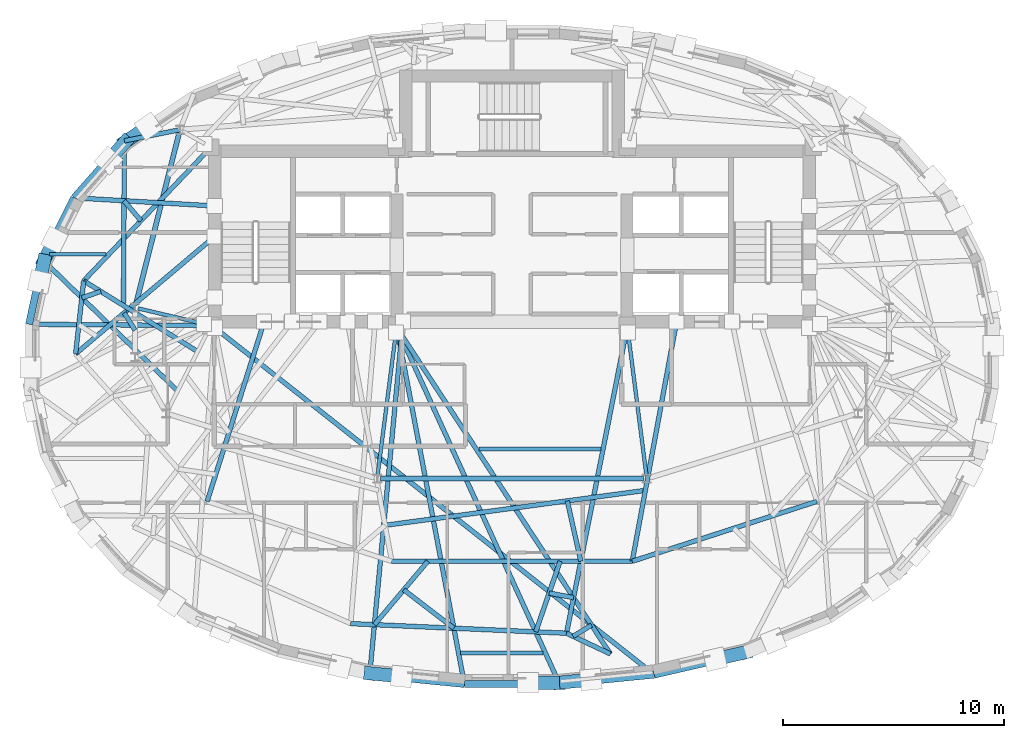
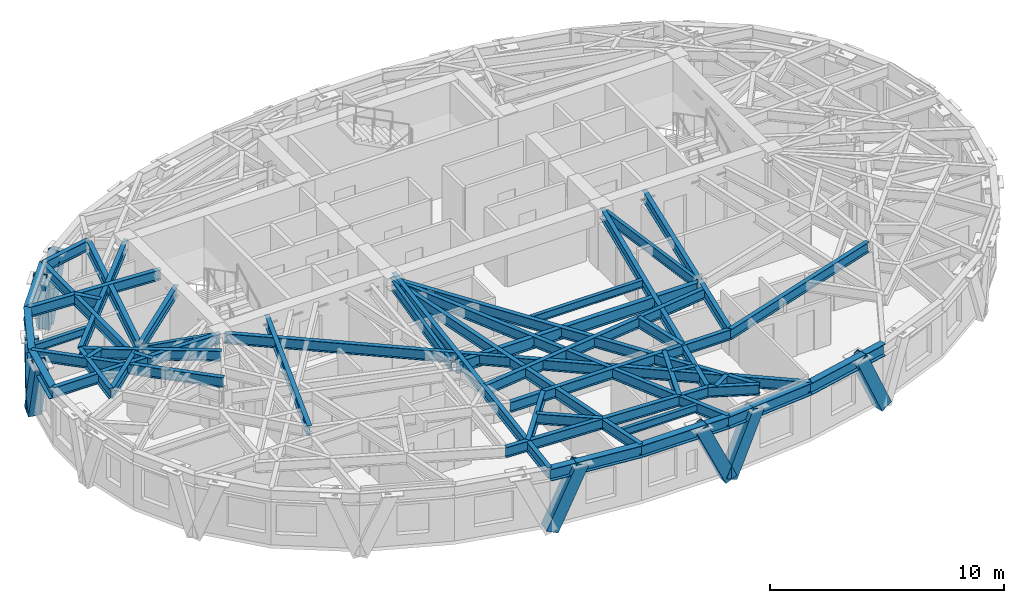
# One storey, part 2 of 13: 46 beams, 8 members.
"""IFC4 building model written with IfcOpenShell, lengths in metres."""

from ifc_helpers import new_model, si_unit, direction, frame, origin, origin_2d, place, context, subcontext, project, spatial, hollow_rectangle, i_section, extrude, material, material_profile, profile_set, type_object, element, save


model = new_model("IFC4")

# Units and contexts
model_context = context("Model", 3, precision=1e-05, world=origin(), true_north=direction((0.0, 1.0)))
body_context = subcontext(model_context, "Body", "Model", "MODEL_VIEW")
ifc_project = project(units=[si_unit("LENGTHUNIT", "METRE"), si_unit("AREAUNIT", "SQUARE_METRE"), si_unit("VOLUMEUNIT", "CUBIC_METRE"), si_unit("PLANEANGLEUNIT", "RADIAN"), si_unit("MASSUNIT", "GRAM", prefix="KILO")], contexts=[model_context])

# Site, building, storey
site_placement = place(None, origin())
site = spatial("IfcSite", under=ifc_project, at=site_placement, CompositionType="ELEMENT")
building_placement = place(site_placement, origin())
building = spatial("IfcBuilding", under=site, at=building_placement, Name="Keldmark Tower", CompositionType="ELEMENT")
storey_placement = place(building_placement, frame((0.0, 0.0, 235.199951171875)))
storey = spatial("IfcBuildingStorey", under=building, at=storey_placement, Name="L66", CompositionType="ELEMENT", Elevation=235.199951171875)

# Beams
ifc_material_1 = material(Name="Steel ASTM A992 Grade 50", Category="steel")
ifc_material_profile_1 = material_profile(ifc_material_1, i_section(OverallWidth=0.177978515625, OverallDepth=0.403076171875, WebThickness=0.007568359375, FlangeThickness=0.010986328125, at=origin_2d()), Name="W16X36")
ifc_profile_set_1 = profile_set([ifc_material_profile_1], Name="Steel ASTM A992 Grade 50")
beam_type_1 = type_object("IfcBeamType", Name="Composite Floor Joist W16X36", PredefinedType="JOIST", material=ifc_profile_set_1)
beam_1_placement = place(storey_placement, frame((-2.3173828125, -13.3798828125, 2.7685546875), z_axis=(1.0, 0.0, 0.0), x_axis=(0.0, 1.0, 0.0)))
element("IfcBeam", 1, at=beam_1_placement, inside=storey, type_object=beam_type_1, Name="L66 Composite Floor Joist J01", PredefinedType="JOIST", context=body_context, shape_type="SweptSolid", body=[
    extrude(i_section(OverallWidth=0.177978515625, OverallDepth=0.403076171875, WebThickness=0.007568359375, FlangeThickness=0.010986328125, at=origin_2d()), origin(), (0.0, 0.0, 1.0), 3.7158203125),
])
beam_2_placement = place(storey_placement, frame((-1.49658203125, -4.179931640625, 2.7685546875), z_axis=(1.0, 0.0, 0.0), x_axis=(0.0, 1.0, 0.0)))
element("IfcBeam", 2, at=beam_2_placement, inside=storey, type_object=beam_type_1, Name="L66 Composite Floor Joist J04", PredefinedType="JOIST", context=body_context, shape_type="SweptSolid", body=[
    extrude(i_section(OverallWidth=0.177978515625, OverallDepth=0.403076171875, WebThickness=0.007568359375, FlangeThickness=0.010986328125, at=origin_2d()), origin(), (0.0, 0.0, 1.0), 5.510986328125),
])
beam_3_placement = place(storey_placement, frame((-20.87939453125, 4.6201171875, 2.7685546875), z_axis=(1.0, 0.0, 0.0), x_axis=(0.0, 1.0, 0.0)))
element("IfcBeam", 3, at=beam_3_placement, inside=storey, type_object=beam_type_1, Name="L66 Composite Floor Joist J06", PredefinedType="JOIST", context=body_context, shape_type="SweptSolid", body=[
    extrude(i_section(OverallWidth=0.177978515625, OverallDepth=0.403076171875, WebThickness=0.007568359375, FlangeThickness=0.010986328125, at=origin_2d()), origin(), (0.0, 0.0, 1.0), 2.54443359375),
])

# Members
ifc_material_2 = material(Name="Steel ASTM A572 Grade 50", Category="steel")
ifc_material_profile_2 = material_profile(ifc_material_2, hollow_rectangle(XDim=0.60009765625, YDim=0.60009765625, WallThickness=0.034912109375, at=origin_2d()), Name="BOX600X600X35")
ifc_profile_set_2 = profile_set([ifc_material_profile_2], Name="Steel ASTM A572 Grade 50")
member_type = type_object("IfcMemberType", Name="Diagrid Zone 4 Brace BOX600X600X35", PredefinedType="BRACE", material=ifc_profile_set_2)
member_1_placement = place(storey_placement, frame((-17.466796875, 9.695068359375, -0.260009765625), z_axis=(0.311680858126, 0.211326312113, 0.926388812803), x_axis=(-0.56118969734, 0.827687213626, 0.0)))
element("IfcMember", 4, at=member_1_placement, inside=storey, type_object=member_type, Name="L66 Perimeter Diagrid Brace 06B", PredefinedType="BRACE", context=body_context, shape_type="SweptSolid", body=[
    extrude(hollow_rectangle(XDim=0.60009765625, YDim=0.60009765625, WallThickness=0.034912109375, at=origin_2d()), origin(), (0.0, 0.0, 1.0), 3.357177734375),
])
member_2_placement = place(storey_placement, frame((-17.45849609375, 9.703369140625, -0.260009765625), z_axis=(-0.228311749469, -0.258959599672, 0.938516739751), x_axis=(0.750099356508, -0.661325151016, 0.0)))
element("IfcMember", 5, at=member_2_placement, inside=storey, type_object=member_type, Name="L66 Perimeter Diagrid Brace 07A", PredefinedType="BRACE", context=body_context, shape_type="SweptSolid", body=[
    extrude(hollow_rectangle(XDim=0.60009765625, YDim=0.60009765625, WallThickness=0.034912109375, at=origin_2d()), origin(), (0.0, 0.0, 1.0), 3.31396484375),
])
member_3_placement = place(storey_placement, frame((-21.131591796875, 4.329345703125, -0.260009765625), z_axis=(0.143201801896, 0.285362136141, 0.94766117109), x_axis=(-0.89377384963, 0.448517898993, 0.0)))
element("IfcMember", 6, at=member_3_placement, inside=storey, type_object=member_type, Name="L66 Perimeter Diagrid Brace 07B", PredefinedType="BRACE", context=body_context, shape_type="SweptSolid", body=[
    extrude(hollow_rectangle(XDim=0.60009765625, YDim=0.60009765625, WallThickness=0.034912109375, at=origin_2d()), origin(), (0.0, 0.0, 1.0), 3.281982421875),
])
member_4_placement = place(storey_placement, frame((-21.127197265625, 4.340087890625, -0.260009765625), z_axis=(-0.063811255643, -0.296239826902, 0.952979584572), x_axis=(0.977577872293, -0.210574223501, 0.0)))
element("IfcMember", 7, at=member_4_placement, inside=storey, type_object=member_type, Name="L66 Perimeter Diagrid Brace 08A", PredefinedType="BRACE", context=body_context, shape_type="SweptSolid", body=[
    extrude(hollow_rectangle(XDim=0.60009765625, YDim=0.60009765625, WallThickness=0.034912109375, at=origin_2d()), origin(), (0.0, 0.0, 1.0), 3.263671875),
])
member_5_placement = place(storey_placement, frame((-6.40869140625, -14.3076171875, -0.260009765625), z_axis=(0.416434580065, -0.041279853083, 0.908228062909), x_axis=(0.09864340487, 0.995122846022, 0.0)))
element("IfcMember", 8, at=member_5_placement, inside=storey, type_object=member_type, Name="L66 Perimeter Diagrid Brace 12A", PredefinedType="BRACE", context=body_context, shape_type="SweptSolid", body=[
    extrude(hollow_rectangle(XDim=0.60009765625, YDim=0.60009765625, WallThickness=0.034912109375, at=origin_2d()), origin(), (0.0, 0.0, 1.0), 3.42431640625),
])
member_6_placement = place(storey_placement, frame((2.15380859375, -14.72900390625, -0.260009765625), z_axis=(-0.418203376234, 0.0, 0.908353420264), x_axis=(0.0, -1.0, 0.0)))
element("IfcMember", 9, at=member_6_placement, inside=storey, type_object=member_type, Name="L66 Perimeter Diagrid Brace 12B", PredefinedType="BRACE", context=body_context, shape_type="SweptSolid", body=[
    extrude(hollow_rectangle(XDim=0.60009765625, YDim=0.60009765625, WallThickness=0.034912109375, at=origin_2d()), origin(), (0.0, 0.0, 1.0), 3.423828125),
])
member_7_placement = place(storey_placement, frame((2.14208984375, -14.72900390625, -0.260009765625), z_axis=(0.4164358046, 0.041208679175, 0.908230733574), x_axis=(-0.09847468982, 0.995139555773, 0.0)))
element("IfcMember", 10, at=member_7_placement, inside=storey, type_object=member_type, Name="L66 Perimeter Diagrid Brace 13A", PredefinedType="BRACE", context=body_context, shape_type="SweptSolid", body=[
    extrude(hollow_rectangle(XDim=0.60009765625, YDim=0.60009765625, WallThickness=0.034912109375, at=origin_2d()), origin(), (0.0, 0.0, 1.0), 3.42431640625),
])
member_8_placement = place(storey_placement, frame((10.552490234375, -13.351806640625, -0.260009765625), z_axis=(-0.404144805703, -0.093214735144, 0.909932958616), x_axis=(0.224746304795, -0.974417312285, 0.0)))
element("IfcMember", 11, at=member_8_placement, inside=storey, type_object=member_type, Name="L66 Perimeter Diagrid Brace 13B", PredefinedType="BRACE", context=body_context, shape_type="SweptSolid", body=[
    extrude(hollow_rectangle(XDim=0.60009765625, YDim=0.60009765625, WallThickness=0.034912109375, at=origin_2d()), origin(), (0.0, 0.0, 1.0), 3.41796875),
])

# Beams
ifc_material_3 = material(Name="Steel ASTM A992 Grade 50", Category="steel")
ifc_material_profile_3 = material_profile(ifc_material_3, i_section(OverallWidth=0.22802734375, OverallDepth=0.60302734375, WebThickness=0.010498046875, FlangeThickness=0.014892578125, at=origin_2d()), Name="W24X68")
ifc_profile_set_3 = profile_set([ifc_material_profile_3], Name="Steel ASTM A992 Grade 50")
beam_type_2 = type_object("IfcBeamType", Name="Primary Floor Girder W24X68", PredefinedType="BEAM", material=ifc_profile_set_3)
beam_4_placement = place(storey_placement, frame((-15.030029296875, 10.10791015625, 2.66845703125), z_axis=(-0.244902129455, -0.969547805417, 0.0), x_axis=(0.969547805417, -0.244902129455, 0.0)))
element("IfcBeam", 12, at=beam_4_placement, inside=storey, type_object=beam_type_2, Name="L66 Floor Ring Girder FG-R05", PredefinedType="BEAM", context=body_context, shape_type="SweptSolid", body=[
    extrude(i_section(OverallWidth=0.22802734375, OverallDepth=0.60302734375, WebThickness=0.010498046875, FlangeThickness=0.014892578125, at=origin_2d()), origin(), (0.0, 0.0, 1.0), 8.008056640625),
])
beam_5_placement = place(storey_placement, frame((-5.949462890625, -5.512939453125, 2.66845703125), z_axis=(1.0, 0.0, 0.0), x_axis=(0.0, 1.0, 0.0)))
element("IfcBeam", 13, at=beam_5_placement, inside=storey, type_object=beam_type_2, Name="L66 Floor Ring Girder FG-R09", PredefinedType="BEAM", context=body_context, shape_type="SweptSolid", body=[
    extrude(i_section(OverallWidth=0.22802734375, OverallDepth=0.60302734375, WebThickness=0.010498046875, FlangeThickness=0.014892578125, at=origin_2d()), origin(), (0.0, 0.0, 1.0), 11.89892578125),
])
ifc_material_4 = material(Name="Steel ASTM A992 Grade 50", Category="steel")
ifc_material_profile_4 = material_profile(ifc_material_4, i_section(OverallWidth=0.166015625, OverallDepth=0.529052734375, WebThickness=0.009765625, FlangeThickness=0.013671875, at=origin_2d()), Name="W21X50")
ifc_profile_set_4 = profile_set([ifc_material_profile_4], Name="Steel ASTM A992 Grade 50")
beam_type_3 = type_object("IfcBeamType", Name="Radial Tie Girder W21X50", PredefinedType="BEAM", material=ifc_profile_set_4)
beam_6_placement = place(storey_placement, frame((-16.889404296875, 2.17578125, 2.70556640625), z_axis=(0.97329039005, -0.229577474147, 0.0), x_axis=(0.229577474147, 0.97329039005, 0.0)))
element("IfcBeam", 14, at=beam_6_placement, inside=storey, type_object=beam_type_3, Name="L66 Floor Radial Girder FG-C06", PredefinedType="BEAM", context=body_context, shape_type="SweptSolid", body=[
    extrude(i_section(OverallWidth=0.166015625, OverallDepth=0.529052734375, WebThickness=0.009765625, FlangeThickness=0.013671875, at=origin_2d()), origin(), (0.0, 0.0, 1.0), 3.0595703125),
])
for number, where, z_axis, x_axis, name in (
    (15, (-6.071533203125, -5.3740234375, 2.70556640625), (0.127625044513, 0.991822488157, 0.0), (-0.991822488157, 0.127625044513, 0.0), "L66 Floor Radial Girder FG-C09"),
    (16, (6.071533203125, -5.3740234375, 2.70556640625), (-0.127625044513, 0.991822488157, 0.0), (-0.991822488157, -0.127625044513, 0.0), "L66 Floor Radial Girder FG-C10"),
):
    element("IfcBeam", number, at=place(storey_placement, frame(where, z_axis=z_axis, x_axis=x_axis)), inside=storey, type_object=beam_type_3, Name=name, PredefinedType="BEAM", context=body_context, shape_type="SweptSolid", body=[
        extrude(i_section(OverallWidth=0.166015625, OverallDepth=0.529052734375, WebThickness=0.009765625, FlangeThickness=0.013671875, at=origin_2d()), origin(), (0.0, 0.0, 1.0), 6.509765625),
    ])
ifc_material_5 = material(Name="Steel ASTM A992 Grade 50", Category="steel")
ifc_material_profile_5 = material_profile(ifc_material_5, i_section(OverallWidth=0.2099609375, OverallDepth=0.537109375, WebThickness=0.010986328125, FlangeThickness=0.017333984375, at=origin_2d()), Name="W21X68")
ifc_profile_set_5 = profile_set([ifc_material_profile_5], Name="Steel ASTM A992 Grade 50")
beam_type_4 = type_object("IfcBeamType", Name="Radial Tie Girder W21X68", PredefinedType="BEAM", material=ifc_profile_set_5)
beam_7_placement = place(storey_placement, frame((-17.025634765625, 1.189697265625, 2.70166015625), z_axis=(-0.527856749406, 0.849333416337, 0.0), x_axis=(-0.849333416337, -0.527856749406, 0.0)))
element("IfcBeam", 17, at=beam_7_placement, inside=storey, type_object=beam_type_4, Name="L66 Framing Pin Header PH-001", PredefinedType="BEAM", context=body_context, shape_type="SweptSolid", body=[
    extrude(i_section(OverallWidth=0.2099609375, OverallDepth=0.537109375, WebThickness=0.010986328125, FlangeThickness=0.017333984375, at=origin_2d()), origin(), (0.0, 0.0, 1.0), 0.922607421875),
])
beam_8_placement = place(storey_placement, frame((-13.425048828125, 5.425048828125, 2.70166015625), z_axis=(-0.764059179504, -0.645146161901, 0.0), x_axis=(0.645146161901, -0.764059179504, 0.0)))
element("IfcBeam", 18, at=beam_8_placement, inside=storey, type_object=beam_type_4, Name="L66 Sub-Ring Step Girder STP1-M07", PredefinedType="BEAM", context=body_context, shape_type="SweptSolid", body=[
    extrude(i_section(OverallWidth=0.2099609375, OverallDepth=0.537109375, WebThickness=0.010986328125, FlangeThickness=0.017333984375, at=origin_2d()), origin(), (0.0, 0.0, 1.0), 8.224609375),
])
beam_9_placement = place(storey_placement, frame((-11.19287109375, 1.574951171875, 2.70166015625), z_axis=(-0.3023360028, -0.953201417021, 0.0), x_axis=(0.953201417021, -0.3023360028, 0.0)))
element("IfcBeam", 19, at=beam_9_placement, inside=storey, type_object=beam_type_4, Name="L66 Sub-Ring Step Girder STP1-M08", PredefinedType="BEAM", context=body_context, shape_type="SweptSolid", body=[
    extrude(i_section(OverallWidth=0.2099609375, OverallDepth=0.537109375, WebThickness=0.010986328125, FlangeThickness=0.017333984375, at=origin_2d()), origin(), (0.0, 0.0, 1.0), 8.514404296875),
])
beam_10_placement = place(storey_placement, frame((-5.731201171875, -7.622314453125, 2.70166015625), z_axis=(0.991115173164, 0.133006441662, 0.0), x_axis=(-0.133006441662, 0.991115173164, 0.0)))
element("IfcBeam", 20, at=beam_10_placement, inside=storey, type_object=beam_type_4, Name="L66 Framing Pin Header PH-004", PredefinedType="BEAM", context=body_context, shape_type="SweptSolid", body=[
    extrude(i_section(OverallWidth=0.2099609375, OverallDepth=0.537109375, WebThickness=0.010986328125, FlangeThickness=0.017333984375, at=origin_2d()), origin(), (0.0, 0.0, 1.0), 11.859619140625),
])
beam_11_placement = place(storey_placement, frame((7.43212890625, 1.574951171875, 2.70166015625), z_axis=(-0.181862035839, -0.983324056413, 0.0), x_axis=(0.983324056413, -0.181862035839, 0.0)))
element("IfcBeam", 21, at=beam_11_placement, inside=storey, type_object=beam_type_4, Name="L66 Sub-Ring Step Girder STP1-M10", PredefinedType="BEAM", context=body_context, shape_type="SweptSolid", body=[
    extrude(i_section(OverallWidth=0.2099609375, OverallDepth=0.537109375, WebThickness=0.010986328125, FlangeThickness=0.017333984375, at=origin_2d()), origin(), (0.0, 0.0, 1.0), 11.004150390625),
])
beam_12_placement = place(storey_placement, frame((-5.430908203125, -9.24560546875, 2.70166015625), z_axis=(1.0, 0.0, 0.0), x_axis=(0.0, 1.0, 0.0)))
element("IfcBeam", 22, at=beam_12_placement, inside=storey, type_object=beam_type_4, Name="L66 Perimeter Collector Ring Beam CRG1-M09", PredefinedType="BEAM", context=body_context, shape_type="SweptSolid", body=[
    extrude(i_section(OverallWidth=0.2099609375, OverallDepth=0.537109375, WebThickness=0.010986328125, FlangeThickness=0.017333984375, at=origin_2d()), origin(), (0.0, 0.0, 1.0), 10.86181640625),
])
beam_13_placement = place(storey_placement, frame((5.430908203125, -9.24560546875, 2.70166015625), z_axis=(0.951190555886, 0.308604158094, 0.0), x_axis=(-0.308604158094, 0.951190555886, 0.0)))
element("IfcBeam", 23, at=beam_13_placement, inside=storey, type_object=beam_type_4, Name="L66 Perimeter Collector Ring Beam CRG1-M10", PredefinedType="BEAM", context=body_context, shape_type="SweptSolid", body=[
    extrude(i_section(OverallWidth=0.2099609375, OverallDepth=0.537109375, WebThickness=0.010986328125, FlangeThickness=0.017333984375, at=origin_2d()), origin(), (0.0, 0.0, 1.0), 8.763916015625),
])
beam_14_placement = place(storey_placement, frame((2.49658203125, -6.518310546875, 2.70166015625), z_axis=(0.218391640192, -0.975861205036, 0.0), x_axis=(0.975861205036, 0.218391640192, 0.0)))
element("IfcBeam", 24, at=beam_14_placement, inside=storey, type_object=beam_type_4, Name="L66 Framing Pin Header PH-010", PredefinedType="BEAM", context=body_context, shape_type="SweptSolid", body=[
    extrude(i_section(OverallWidth=0.2099609375, OverallDepth=0.537109375, WebThickness=0.010986328125, FlangeThickness=0.017333984375, at=origin_2d()), origin(), (0.0, 0.0, 1.0), 2.794677734375),
])
beam_15_placement = place(storey_placement, frame((5.199951171875, 1.300048828125, 2.70166015625), z_axis=(-0.194673845124, -0.980868030891, 0.0), x_axis=(0.980868030891, -0.194673845124, 0.0)))
element("IfcBeam", 25, at=beam_15_placement, inside=storey, type_object=beam_type_4, Name="L66 Sub-Ring Step Girder STP2-M10", PredefinedType="BEAM", context=body_context, shape_type="SweptSolid", body=[
    extrude(i_section(OverallWidth=0.2099609375, OverallDepth=0.537109375, WebThickness=0.010986328125, FlangeThickness=0.017333984375, at=origin_2d()), origin(), (0.0, 0.0, 1.0), 14.064697265625),
])
beam_16_placement = place(storey_placement, frame((-7.2841796875, -12.06103515625, 2.70166015625), z_axis=(0.99900738248, -0.044544918357, 0.0), x_axis=(0.044544918357, 0.99900738248, 0.0)))
element("IfcBeam", 26, at=beam_16_placement, inside=storey, type_object=beam_type_4, Name="L66 Perimeter Collector Ring Beam CRG2-M09", PredefinedType="BEAM", context=body_context, shape_type="SweptSolid", body=[
    extrude(i_section(OverallWidth=0.2099609375, OverallDepth=0.537109375, WebThickness=0.010986328125, FlangeThickness=0.017333984375, at=origin_2d()), origin(), (0.0, 0.0, 1.0), 9.755859375),
])
beam_17_placement = place(storey_placement, frame((-14.995849609375, 10.24365234375, 2.70166015625), z_axis=(-0.9805513071, -0.19626292096, 0.0), x_axis=(0.19626292096, -0.9805513071, 0.0)))
element("IfcBeam", 27, at=beam_17_placement, inside=storey, type_object=beam_type_4, Name="L66 Perimeter Column Bracket RT-13", PredefinedType="BEAM", context=body_context, shape_type="SweptSolid", body=[
    extrude(i_section(OverallWidth=0.2099609375, OverallDepth=0.537109375, WebThickness=0.010986328125, FlangeThickness=0.017333984375, at=origin_2d()), origin(), (0.0, 0.0, 1.0), 2.558837890625),
])
beam_18_placement = place(storey_placement, frame((-17.5048828125, 9.741455078125, 2.70166015625), z_axis=(-0.005976315955, -0.999982141664, 0.0), x_axis=(0.999982141664, -0.005976315955, 0.0)))
element("IfcBeam", 28, at=beam_18_placement, inside=storey, type_object=beam_type_4, Name="L66 Framing Pin Header PH-018", PredefinedType="BEAM", context=body_context, shape_type="SweptSolid", body=[
    extrude(i_section(OverallWidth=0.2099609375, OverallDepth=0.537109375, WebThickness=0.010986328125, FlangeThickness=0.017333984375, at=origin_2d()), origin(), (0.0, 0.0, 1.0), 7.43505859375),
])
beam_19_placement = place(storey_placement, frame((-14.197021484375, 0.225341796875, 2.70166015625), z_axis=(-0.849577264473, 0.52746418996, 0.0), x_axis=(-0.52746418996, -0.849577264473, 0.0)))
element("IfcBeam", 29, at=beam_19_placement, inside=storey, type_object=beam_type_4, Name="L66 Intermediate Radial Step Girder RT-15M", PredefinedType="BEAM", context=body_context, shape_type="SweptSolid", body=[
    extrude(i_section(OverallWidth=0.2099609375, OverallDepth=0.537109375, WebThickness=0.010986328125, FlangeThickness=0.017333984375, at=origin_2d()), origin(), (0.0, 0.0, 1.0), 6.057373046875),
])
beam_20_placement = place(storey_placement, frame((-19.709228515625, 0.118896484375, 2.70166015625), z_axis=(0.110173383311, 0.993912383266, 0.0), x_axis=(-0.993912383266, 0.110173383311, 0.0)))
element("IfcBeam", 30, at=beam_20_placement, inside=storey, type_object=beam_type_4, Name="L66 Local Collector Chord RT-15C", PredefinedType="BEAM", context=body_context, shape_type="SweptSolid", body=[
    extrude(i_section(OverallWidth=0.2099609375, OverallDepth=0.537109375, WebThickness=0.010986328125, FlangeThickness=0.017333984375, at=origin_2d()), origin(), (0.0, 0.0, 1.0), 3.32177734375),
])
beam_21_placement = place(storey_placement, frame((-18.5712890625, 2.941162109375, 2.70166015625), z_axis=(-0.947325582596, -0.320272135159, 0.0), x_axis=(0.320272135159, -0.947325582596, 0.0)))
element("IfcBeam", 31, at=beam_21_placement, inside=storey, type_object=beam_type_4, Name="L66 Framing Pin Header PH-019", PredefinedType="BEAM", context=body_context, shape_type="SweptSolid", body=[
    extrude(i_section(OverallWidth=0.2099609375, OverallDepth=0.537109375, WebThickness=0.010986328125, FlangeThickness=0.017333984375, at=origin_2d()), origin(), (0.0, 0.0, 1.0), 0.90478515625),
])
beam_22_placement = place(storey_placement, frame((-15.100830078125, -1.55322265625, 2.70166015625), z_axis=(-0.717222249337, 0.6968444913, 0.0), x_axis=(-0.6968444913, -0.717222249337, 0.0)))
element("IfcBeam", 32, at=beam_22_placement, inside=storey, type_object=beam_type_4, Name="L66 Perimeter Radial Tie Girder RT-15", PredefinedType="BEAM", context=body_context, shape_type="SweptSolid", body=[
    extrude(i_section(OverallWidth=0.2099609375, OverallDepth=0.537109375, WebThickness=0.010986328125, FlangeThickness=0.017333984375, at=origin_2d()), origin(), (0.0, 0.0, 1.0), 8.482421875),
])
beam_23_placement = place(storey_placement, frame((-13.60009765625, 1.39990234375, 2.70166015625), z_axis=(-0.999976198415, 0.006899464031, 0.0), x_axis=(-0.006899464031, -0.999976198415, 0.0)))
element("IfcBeam", 33, at=beam_23_placement, inside=storey, type_object=beam_type_4, Name="L66 Perimeter Radial Tie Girder RT-16", PredefinedType="BEAM", context=body_context, shape_type="SweptSolid", body=[
    extrude(i_section(OverallWidth=0.2099609375, OverallDepth=0.537109375, WebThickness=0.010986328125, FlangeThickness=0.017333984375, at=origin_2d()), origin(), (0.0, 0.0, 1.0), 8.20947265625),
])
beam_24_placement = place(storey_placement, frame((-3.8017578125, -9.24560546875, 2.70166015625), z_axis=(-0.644274307171, -0.76479449339, 0.0), x_axis=(0.76479449339, -0.644274307171, 0.0)))
element("IfcBeam", 34, at=beam_24_placement, inside=storey, type_object=beam_type_4, Name="L66 Framing Pin Header PH-027", PredefinedType="BEAM", context=body_context, shape_type="SweptSolid", body=[
    extrude(i_section(OverallWidth=0.2099609375, OverallDepth=0.537109375, WebThickness=0.010986328125, FlangeThickness=0.017333984375, at=origin_2d()), origin(), (0.0, 0.0, 1.0), 3.74365234375),
])
beam_25_placement = place(storey_placement, frame((-4.925048828125, 1.574951171875, 2.70166015625), z_axis=(-0.09376489152, -0.995594367761, 0.0), x_axis=(0.995594367761, -0.09376489152, 0.0)))
element("IfcBeam", 35, at=beam_25_placement, inside=storey, type_object=beam_type_4, Name="L66 Perimeter Radial Tie Girder RT-23", PredefinedType="BEAM", context=body_context, shape_type="SweptSolid", body=[
    extrude(i_section(OverallWidth=0.2099609375, OverallDepth=0.537109375, WebThickness=0.010986328125, FlangeThickness=0.017333984375, at=origin_2d()), origin(), (0.0, 0.0, 1.0), 16.010498046875),
])
beam_26_placement = place(storey_placement, frame((-4.88720703125, -10.533935546875, 2.70166015625), z_axis=(0.793362245365, -0.608749823514, 0.0), x_axis=(0.608749823514, 0.793362245365, 0.0)))
element("IfcBeam", 36, at=beam_26_placement, inside=storey, type_object=beam_type_4, Name="L66 Framing Pin Header PH-028", PredefinedType="BEAM", context=body_context, shape_type="SweptSolid", body=[
    extrude(i_section(OverallWidth=0.2099609375, OverallDepth=0.537109375, WebThickness=0.010986328125, FlangeThickness=0.017333984375, at=origin_2d()), origin(), (0.0, 0.0, 1.0), 2.849853515625),
])
beam_27_placement = place(storey_placement, frame((-5.199951171875, 1.300048828125, 2.70166015625), z_axis=(0.186372854094, -0.982479088458, 0.0), x_axis=(0.982479088458, 0.186372854094, 0.0)))
element("IfcBeam", 37, at=beam_27_placement, inside=storey, type_object=beam_type_4, Name="L66 Perimeter Radial Tie Girder RT-24", PredefinedType="BEAM", context=body_context, shape_type="SweptSolid", body=[
    extrude(i_section(OverallWidth=0.2099609375, OverallDepth=0.537109375, WebThickness=0.010986328125, FlangeThickness=0.017333984375, at=origin_2d()), origin(), (0.0, 0.0, 1.0), 16.375732421875),
])
beam_28_placement = place(storey_placement, frame((2.17236328125, -9.24560546875, 2.70166015625), z_axis=(-0.326200390309, -0.945300642844, 0.0), x_axis=(0.945300642844, -0.326200390309, 0.0)))
element("IfcBeam", 38, at=beam_28_placement, inside=storey, type_object=beam_type_4, Name="L66 Framing Pin Header PH-029", PredefinedType="BEAM", context=body_context, shape_type="SweptSolid", body=[
    extrude(i_section(OverallWidth=0.2099609375, OverallDepth=0.537109375, WebThickness=0.010986328125, FlangeThickness=0.017333984375, at=origin_2d()), origin(), (0.0, 0.0, 1.0), 3.37255859375),
])
beam_29_placement = place(storey_placement, frame((-5.199951171875, 1.300048828125, 2.70166015625), z_axis=(0.415431897984, -0.909624284052, 0.0), x_axis=(0.909624284052, 0.415431897984, 0.0)))
element("IfcBeam", 39, at=beam_29_placement, inside=storey, type_object=beam_type_4, Name="L66 Perimeter Radial Tie Girder RT-25", PredefinedType="BEAM", context=body_context, shape_type="SweptSolid", body=[
    extrude(i_section(OverallWidth=0.2099609375, OverallDepth=0.537109375, WebThickness=0.010986328125, FlangeThickness=0.017333984375, at=origin_2d()), origin(), (0.0, 0.0, 1.0), 17.687255859375),
])
beam_30_placement = place(storey_placement, frame((1.677490234375, -10.68017578125, 2.70166015625), z_axis=(0.982448762566, -0.186532648436, 0.0), x_axis=(0.186532648436, 0.982448762566, 0.0)))
element("IfcBeam", 40, at=beam_30_placement, inside=storey, type_object=beam_type_4, Name="L66 Framing Pin Header PH-030", PredefinedType="BEAM", context=body_context, shape_type="SweptSolid", body=[
    extrude(i_section(OverallWidth=0.2099609375, OverallDepth=0.537109375, WebThickness=0.010986328125, FlangeThickness=0.017333984375, at=origin_2d()), origin(), (0.0, 0.0, 1.0), 1.123046875),
])
beam_31_placement = place(storey_placement, frame((-5.199951171875, 1.300048828125, 2.70166015625), z_axis=(0.547749891834, -0.836642131378, 0.0), x_axis=(0.836642131378, 0.547749891834, 0.0)))
element("IfcBeam", 41, at=beam_31_placement, inside=storey, type_object=beam_type_4, Name="L66 Intermediate Radial Step Girder RT-26M", PredefinedType="BEAM", context=body_context, shape_type="SweptSolid", body=[
    extrude(i_section(OverallWidth=0.2099609375, OverallDepth=0.537109375, WebThickness=0.010986328125, FlangeThickness=0.017333984375, at=origin_2d()), origin(), (0.0, 0.0, 1.0), 17.606689453125),
])
beam_32_placement = place(storey_placement, frame((2.4619140625, -12.49560546875, 2.70166015625), z_axis=(0.904462408637, -0.42655333941, 0.0), x_axis=(0.42655333941, 0.904462408637, 0.0)))
element("IfcBeam", 42, at=beam_32_placement, inside=storey, type_object=beam_type_4, Name="L66 Local Collector Chord RT-26C", PredefinedType="BEAM", context=body_context, shape_type="SweptSolid", body=[
    extrude(i_section(OverallWidth=0.2099609375, OverallDepth=0.537109375, WebThickness=0.010986328125, FlangeThickness=0.017333984375, at=origin_2d()), origin(), (0.0, 0.0, 1.0), 2.191650390625),
])
beam_33_placement = place(storey_placement, frame((2.75927734375, -12.6357421875, 2.70166015625), z_axis=(0.853937318709, 0.52037587926, 0.0), x_axis=(-0.52037587926, 0.853937318709, 0.0)))
element("IfcBeam", 43, at=beam_33_placement, inside=storey, type_object=beam_type_4, Name="L66 Framing Pin Header PH-031", PredefinedType="BEAM", context=body_context, shape_type="SweptSolid", body=[
    extrude(i_section(OverallWidth=0.2099609375, OverallDepth=0.537109375, WebThickness=0.010986328125, FlangeThickness=0.017333984375, at=origin_2d()), origin(), (0.0, 0.0, 1.0), 0.974853515625),
])
beam_34_placement = place(storey_placement, frame((-13.425048828125, 1.300048828125, 2.70166015625), z_axis=(0.785018420689, -0.619472420031, 0.0), x_axis=(0.619472420031, 0.785018420689, 0.0)))
element("IfcBeam", 44, at=beam_34_placement, inside=storey, type_object=beam_type_4, Name="L66 Perimeter Radial Tie Girder RT-26", PredefinedType="BEAM", context=body_context, shape_type="SweptSolid", body=[
    extrude(i_section(OverallWidth=0.2099609375, OverallDepth=0.537109375, WebThickness=0.010986328125, FlangeThickness=0.017333984375, at=origin_2d()), origin(), (0.0, 0.0, 1.0), 25.28759765625),
])
beam_35_placement = place(storey_placement, frame((-13.60009765625, 9.449951171875, 2.70166015625), z_axis=(-0.689702025718, -0.724093305949, 0.0), x_axis=(0.724093305949, -0.689702025718, 0.0)))
element("IfcBeam", 45, at=beam_35_placement, inside=storey, type_object=beam_type_4, Name="L66 Straddling Support Chord RT-14RB", PredefinedType="BEAM", context=body_context, shape_type="SweptSolid", body=[
    extrude(i_section(OverallWidth=0.2099609375, OverallDepth=0.537109375, WebThickness=0.010986328125, FlangeThickness=0.017333984375, at=origin_2d()), origin(), (0.0, 0.0, 1.0), 8.326904296875),
])
beam_36_placement = place(storey_placement, frame((-16.7587890625, 6.1337890625, 2.70166015625), z_axis=(-0.644987840784, 0.764192832498, 0.0), x_axis=(-0.764192832498, -0.644987840784, 0.0)))
element("IfcBeam", 46, at=beam_36_placement, inside=storey, type_object=beam_type_4, Name="L66 Framing Pin Header PH-044", PredefinedType="BEAM", context=body_context, shape_type="SweptSolid", body=[
    extrude(i_section(OverallWidth=0.2099609375, OverallDepth=0.537109375, WebThickness=0.010986328125, FlangeThickness=0.017333984375, at=origin_2d()), origin(), (0.0, 0.0, 1.0), 1.181640625),
])
beam_37_placement = place(storey_placement, frame((-13.425048828125, 6.800048828125, 2.70166015625), z_axis=(-0.998332122383, 0.057731909876, 0.0), x_axis=(-0.057731909876, -0.998332122383, 0.0)))
element("IfcBeam", 47, at=beam_37_placement, inside=storey, type_object=beam_type_4, Name="L66 Perimeter Radial Tie Girder RT-14R", PredefinedType="BEAM", context=body_context, shape_type="SweptSolid", body=[
    extrude(i_section(OverallWidth=0.2099609375, OverallDepth=0.537109375, WebThickness=0.010986328125, FlangeThickness=0.017333984375, at=origin_2d()), origin(), (0.0, 0.0, 1.0), 6.360107421875),
])
ifc_material_6 = material(Name="Steel ASTM A992 Grade 50", Category="steel")
ifc_material_profile_6 = material_profile(ifc_material_6, i_section(OverallWidth=0.326904296875, OverallDepth=0.6220703125, WebThickness=0.015380859375, FlangeThickness=0.0244140625, at=origin_2d()), Name="W24X131")
ifc_profile_set_6 = profile_set([ifc_material_profile_6], Name="Steel ASTM A992 Grade 50")
beam_type_5 = type_object("IfcBeamType", Name="Spandrel Ring Beam W24X131", PredefinedType="SPANDREL", material=ifc_profile_set_6)
beam_38_placement = place(storey_placement, frame((-17.5048828125, 9.741455078125, 2.658935546875), z_axis=(-0.66136043846, -0.750068243855, 0.0), x_axis=(0.750068243855, -0.66136043846, 0.0)))
element("IfcBeam", 48, at=beam_38_placement, inside=storey, type_object=beam_type_5, Name="L66 Perimeter Spandrel Ring Beam SRB-13", PredefinedType="SPANDREL", context=body_context, shape_type="SweptSolid", body=[
    extrude(i_section(OverallWidth=0.326904296875, OverallDepth=0.6220703125, WebThickness=0.015380859375, FlangeThickness=0.0244140625, at=origin_2d()), origin(), (0.0, 0.0, 1.0), 3.431884765625),
])
beam_39_placement = place(storey_placement, frame((-19.774658203125, 7.167236328125, 2.658935546875), z_axis=(-0.448517898993, -0.89377384963, 0.0), x_axis=(0.89377384963, -0.448517898993, 0.0)))
element("IfcBeam", 49, at=beam_39_placement, inside=storey, type_object=beam_type_5, Name="L66 Perimeter Spandrel Ring Beam SRB-14", PredefinedType="SPANDREL", context=body_context, shape_type="SweptSolid", body=[
    extrude(i_section(OverallWidth=0.326904296875, OverallDepth=0.6220703125, WebThickness=0.015380859375, FlangeThickness=0.0244140625, at=origin_2d()), origin(), (0.0, 0.0, 1.0), 3.1435546875),
])
beam_40_placement = place(storey_placement, frame((-21.1845703125, 4.357666015625, 2.658935546875), z_axis=(-0.210523418042, -0.977588814613, 0.0), x_axis=(0.977588814613, -0.210523418042, 0.0)))
element("IfcBeam", 50, at=beam_40_placement, inside=storey, type_object=beam_type_5, Name="L66 Perimeter Spandrel Ring Beam SRB-15", PredefinedType="SPANDREL", context=body_context, shape_type="SweptSolid", body=[
    extrude(i_section(OverallWidth=0.326904296875, OverallDepth=0.6220703125, WebThickness=0.015380859375, FlangeThickness=0.0244140625, at=origin_2d()), origin(), (0.0, 0.0, 1.0), 2.967529296875),
])
beam_41_placement = place(storey_placement, frame((-6.42626953125, -14.364990234375, 2.658935546875), z_axis=(0.995128970973, -0.098581596303, 0.0), x_axis=(0.098581596303, 0.995128970973, 0.0)))
element("IfcBeam", 51, at=beam_41_placement, inside=storey, type_object=beam_type_5, Name="L66 Perimeter Spandrel Ring Beam SRB-23", PredefinedType="SPANDREL", context=body_context, shape_type="SweptSolid", body=[
    extrude(i_section(OverallWidth=0.326904296875, OverallDepth=0.6220703125, WebThickness=0.015380859375, FlangeThickness=0.0244140625, at=origin_2d()), origin(), (0.0, 0.0, 1.0), 4.29931640625),
])
beam_42_placement = place(storey_placement, frame((-2.14794921875, -14.788818359375, 2.658935546875), z_axis=(1.0, 0.0, 0.0), x_axis=(0.0, 1.0, 0.0)))
element("IfcBeam", 52, at=beam_42_placement, inside=storey, type_object=beam_type_5, Name="L66 Perimeter Spandrel Ring Beam SRB-24", PredefinedType="SPANDREL", context=body_context, shape_type="SweptSolid", body=[
    extrude(i_section(OverallWidth=0.326904296875, OverallDepth=0.6220703125, WebThickness=0.015380859375, FlangeThickness=0.0244140625, at=origin_2d()), origin(), (0.0, 0.0, 1.0), 4.2958984375),
])
beam_43_placement = place(storey_placement, frame((2.14794921875, -14.788818359375, 2.658935546875), z_axis=(0.995128970973, 0.098581596303, 0.0), x_axis=(-0.098581596303, 0.995128970973, 0.0)))
element("IfcBeam", 53, at=beam_43_placement, inside=storey, type_object=beam_type_5, Name="L66 Perimeter Spandrel Ring Beam SRB-25", PredefinedType="SPANDREL", context=body_context, shape_type="SweptSolid", body=[
    extrude(i_section(OverallWidth=0.326904296875, OverallDepth=0.6220703125, WebThickness=0.015380859375, FlangeThickness=0.0244140625, at=origin_2d()), origin(), (0.0, 0.0, 1.0), 4.29931640625),
])
beam_44_placement = place(storey_placement, frame((6.42626953125, -14.364990234375, 2.658935546875), z_axis=(0.974411512007, 0.224771451185, 0.0), x_axis=(-0.224771451185, 0.974411512007, 0.0)))
element("IfcBeam", 54, at=beam_44_placement, inside=storey, type_object=beam_type_5, Name="L66 Perimeter Spandrel Ring Beam SRB-26", PredefinedType="SPANDREL", context=body_context, shape_type="SweptSolid", body=[
    extrude(i_section(OverallWidth=0.326904296875, OverallDepth=0.6220703125, WebThickness=0.015380859375, FlangeThickness=0.0244140625, at=origin_2d()), origin(), (0.0, 0.0, 1.0), 4.25244140625),
])

save(model, "model.ifc")
